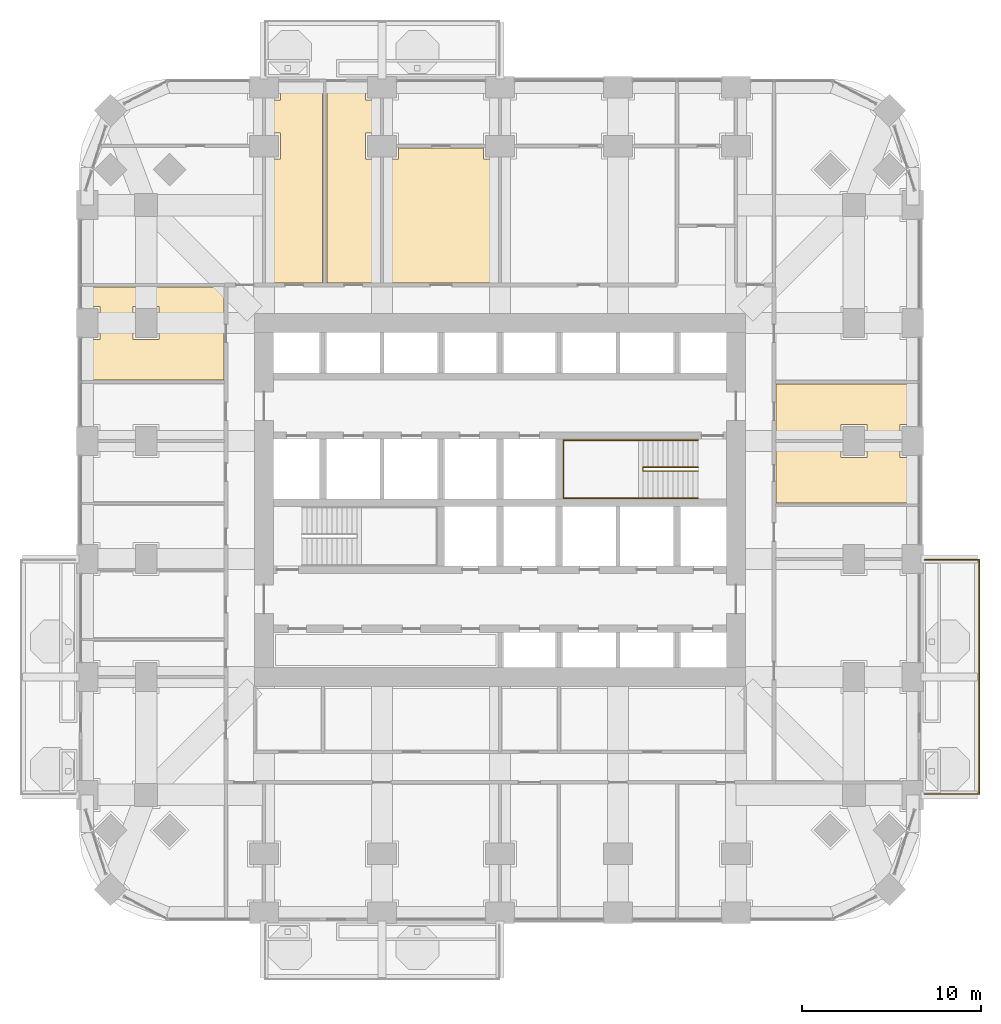
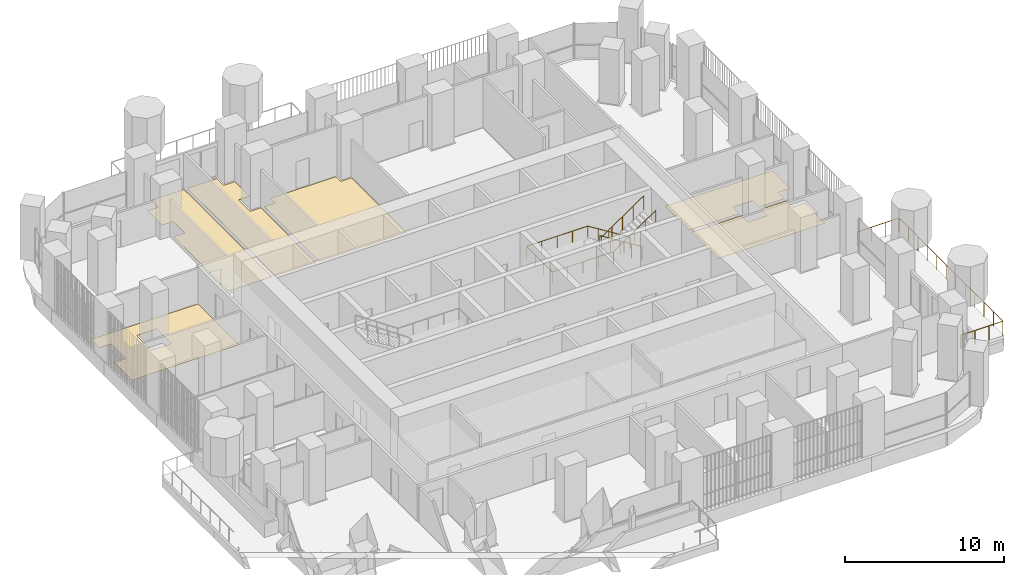
# One storey, part 19 of 21: 6 coverings, 3 railings.
"""IFC4 building model written with IfcOpenShell, lengths in metres."""

from ifc_helpers import new_model, si_unit, direction, frame, origin, place, context, subcontext, project, spatial, polyline, outline, extrude, material, layer, layer_set, type_object, element, save


model = new_model("IFC4")

# Units and contexts
model_context = context("Model", 3, precision=1e-05, world=origin(), true_north=direction((0.0, 1.0)))
body_context = subcontext(model_context, "Body", "Model", "MODEL_VIEW")
ifc_project = project(units=[si_unit("LENGTHUNIT", "METRE"), si_unit("AREAUNIT", "SQUARE_METRE"), si_unit("VOLUMEUNIT", "CUBIC_METRE"), si_unit("PLANEANGLEUNIT", "RADIAN"), si_unit("MASSUNIT", "GRAM", prefix="KILO")], contexts=[model_context])

# Site, building, storey
site_placement = place(None, origin())
site = spatial("IfcSite", under=ifc_project, at=site_placement, CompositionType="ELEMENT")
building_placement = place(site_placement, origin())
building = spatial("IfcBuilding", under=site, at=building_placement, Name="Cobogo Forest Laboratory Tower", CompositionType="ELEMENT")
storey_placement = place(building_placement, frame((0.0, 0.0, 107.39990234375)))
storey = spatial("IfcBuildingStorey", under=building, at=storey_placement, Name="L24", CompositionType="ELEMENT", Elevation=107.39990234375)

# Railing
ifc_material_1 = material(Name="Laminated glass balustrade", Category="glass")
railing_type_1 = type_object("IfcRailingType", Name="BG1 glass balustrade 1100", PredefinedType="GUARDRAIL", material=ifc_material_1)
railing_1_placement = place(storey_placement, frame((50.14990234375, 6.64990234375, 0.0)))
element("IfcRailing", 1, at=railing_1_placement, inside=storey, type_object=railing_type_1, Name="Balcony balustrade BAL-E1 L24", PredefinedType="GUARDRAIL", context=body_context, shape_type="SweptSolid", body=[
    extrude(outline(polyline([(0.022216796875, 0.00927734375), (0.00927734375, 0.022216796875), (-0.00927734375, 0.022216796875), (-0.022216796875, 0.00927734375), (-0.022216796875, -0.00927734375), (-0.00927734375, -0.022216796875), (0.00927734375, -0.022216796875), (0.022216796875, -0.00927734375), (0.022216796875, 0.00927734375)])), frame((0.0, 0.0, 1.077880859375), z_axis=(1.0, 0.0, 0.0), x_axis=(0.0, 1.0, 0.0)), (0.0, 0.0, 1.0), 3.050048828125),
    extrude(outline(polyline([(0.022216796875, 0.00927734375), (0.00927734375, 0.022216796875), (-0.00927734375, 0.022216796875), (-0.022216796875, 0.00927734375), (-0.022216796875, -0.00927734375), (-0.00927734375, -0.022216796875), (0.00927734375, -0.022216796875), (0.022216796875, -0.00927734375), (0.022216796875, 0.00927734375)])), frame((3.050048828125, 0.0, 1.077880859375), z_axis=(0.0, 1.0, 0.0), x_axis=(-1.0, 0.0, 0.0)), (0.0, 0.0, 1.0), 13.10009765625),
    extrude(outline(polyline([(0.022216796875, 0.00927734375), (0.00927734375, 0.022216796875), (-0.00927734375, 0.022216796875), (-0.022216796875, 0.00927734375), (-0.022216796875, -0.00927734375), (-0.00927734375, -0.022216796875), (0.00927734375, -0.022216796875), (0.022216796875, -0.00927734375), (0.022216796875, 0.00927734375)])), frame((3.050048828125, 13.10009765625, 1.077880859375), z_axis=(-1.0, 0.0, 0.0), x_axis=(0.0, -1.0, 0.0)), (0.0, 0.0, 1.0), 3.050048828125),
    extrude(outline(polyline([(0.019287109375, 0.008056640625), (0.008056640625, 0.019287109375), (-0.008056640625, 0.019287109375), (-0.019287109375, 0.008056640625), (-0.019287109375, -0.008056640625), (-0.008056640625, -0.019287109375), (0.008056640625, -0.019287109375), (0.019287109375, -0.008056640625), (0.019287109375, 0.008056640625)])), origin(), (0.0, 0.0, 1.0), 1.077880859375),
    extrude(outline(polyline([(0.019287109375, 0.008056640625), (0.008056640625, 0.019287109375), (-0.008056640625, 0.019287109375), (-0.019287109375, 0.008056640625), (-0.019287109375, -0.008056640625), (-0.008056640625, -0.019287109375), (0.008056640625, -0.019287109375), (0.019287109375, -0.008056640625), (0.019287109375, 0.008056640625)])), frame((1.0166015625, 0.0, 0.0)), (0.0, 0.0, 1.0), 1.077880859375),
    extrude(outline(polyline([(0.019287109375, 0.008056640625), (0.008056640625, 0.019287109375), (-0.008056640625, 0.019287109375), (-0.019287109375, 0.008056640625), (-0.019287109375, -0.008056640625), (-0.008056640625, -0.019287109375), (0.008056640625, -0.019287109375), (0.019287109375, -0.008056640625), (0.019287109375, 0.008056640625)])), frame((2.033447265625, 0.0, 0.0)), (0.0, 0.0, 1.0), 1.077880859375),
    extrude(outline(polyline([(0.019287109375, 0.008056640625), (0.008056640625, 0.019287109375), (-0.008056640625, 0.019287109375), (-0.019287109375, 0.008056640625), (-0.019287109375, -0.008056640625), (-0.008056640625, -0.019287109375), (0.008056640625, -0.019287109375), (0.019287109375, -0.008056640625), (0.019287109375, 0.008056640625)])), frame((3.050048828125, 0.0, 0.0)), (0.0, 0.0, 1.0), 1.077880859375),
    extrude(outline(polyline([(0.019287109375, 0.008056640625), (0.008056640625, 0.019287109375), (-0.008056640625, 0.019287109375), (-0.019287109375, 0.008056640625), (-0.019287109375, -0.008056640625), (-0.008056640625, -0.019287109375), (0.008056640625, -0.019287109375), (0.019287109375, -0.008056640625), (0.019287109375, 0.008056640625)])), frame((3.050048828125, 1.19091796875, 0.0)), (0.0, 0.0, 1.0), 1.077880859375),
    extrude(outline(polyline([(0.019287109375, 0.008056640625), (0.008056640625, 0.019287109375), (-0.008056640625, 0.019287109375), (-0.019287109375, 0.008056640625), (-0.019287109375, -0.008056640625), (-0.008056640625, -0.019287109375), (0.008056640625, -0.019287109375), (0.019287109375, -0.008056640625), (0.019287109375, 0.008056640625)])), frame((3.050048828125, 2.3818359375, 0.0)), (0.0, 0.0, 1.0), 1.077880859375),
    extrude(outline(polyline([(0.019287109375, 0.008056640625), (0.008056640625, 0.019287109375), (-0.008056640625, 0.019287109375), (-0.019287109375, 0.008056640625), (-0.019287109375, -0.008056640625), (-0.008056640625, -0.019287109375), (0.008056640625, -0.019287109375), (0.019287109375, -0.008056640625), (0.019287109375, 0.008056640625)])), frame((3.050048828125, 3.57275390625, 0.0)), (0.0, 0.0, 1.0), 1.077880859375),
    extrude(outline(polyline([(0.019287109375, 0.008056640625), (0.008056640625, 0.019287109375), (-0.008056640625, 0.019287109375), (-0.019287109375, 0.008056640625), (-0.019287109375, -0.008056640625), (-0.008056640625, -0.019287109375), (0.008056640625, -0.019287109375), (0.019287109375, -0.008056640625), (0.019287109375, 0.008056640625)])), frame((3.050048828125, 4.763671875, 0.0)), (0.0, 0.0, 1.0), 1.077880859375),
    extrude(outline(polyline([(0.019287109375, 0.008056640625), (0.008056640625, 0.019287109375), (-0.008056640625, 0.019287109375), (-0.019287109375, 0.008056640625), (-0.019287109375, -0.008056640625), (-0.008056640625, -0.019287109375), (0.008056640625, -0.019287109375), (0.019287109375, -0.008056640625), (0.019287109375, 0.008056640625)])), frame((3.050048828125, 5.95458984375, 0.0)), (0.0, 0.0, 1.0), 1.077880859375),
    extrude(outline(polyline([(0.019287109375, 0.008056640625), (0.008056640625, 0.019287109375), (-0.008056640625, 0.019287109375), (-0.019287109375, 0.008056640625), (-0.019287109375, -0.008056640625), (-0.008056640625, -0.019287109375), (0.008056640625, -0.019287109375), (0.019287109375, -0.008056640625), (0.019287109375, 0.008056640625)])), frame((3.050048828125, 7.1455078125, 0.0)), (0.0, 0.0, 1.0), 1.077880859375),
    extrude(outline(polyline([(0.019287109375, 0.008056640625), (0.008056640625, 0.019287109375), (-0.008056640625, 0.019287109375), (-0.019287109375, 0.008056640625), (-0.019287109375, -0.008056640625), (-0.008056640625, -0.019287109375), (0.008056640625, -0.019287109375), (0.019287109375, -0.008056640625), (0.019287109375, 0.008056640625)])), frame((3.050048828125, 8.33642578125, 0.0)), (0.0, 0.0, 1.0), 1.077880859375),
    extrude(outline(polyline([(0.019287109375, 0.008056640625), (0.008056640625, 0.019287109375), (-0.008056640625, 0.019287109375), (-0.019287109375, 0.008056640625), (-0.019287109375, -0.008056640625), (-0.008056640625, -0.019287109375), (0.008056640625, -0.019287109375), (0.019287109375, -0.008056640625), (0.019287109375, 0.008056640625)])), frame((3.050048828125, 9.52734375, 0.0)), (0.0, 0.0, 1.0), 1.077880859375),
    extrude(outline(polyline([(0.019287109375, 0.008056640625), (0.008056640625, 0.019287109375), (-0.008056640625, 0.019287109375), (-0.019287109375, 0.008056640625), (-0.019287109375, -0.008056640625), (-0.008056640625, -0.019287109375), (0.008056640625, -0.019287109375), (0.019287109375, -0.008056640625), (0.019287109375, 0.008056640625)])), frame((3.050048828125, 10.71826171875, 0.0)), (0.0, 0.0, 1.0), 1.077880859375),
    extrude(outline(polyline([(0.019287109375, 0.008056640625), (0.008056640625, 0.019287109375), (-0.008056640625, 0.019287109375), (-0.019287109375, 0.008056640625), (-0.019287109375, -0.008056640625), (-0.008056640625, -0.019287109375), (0.008056640625, -0.019287109375), (0.019287109375, -0.008056640625), (0.019287109375, 0.008056640625)])), frame((3.050048828125, 11.9091796875, 0.0)), (0.0, 0.0, 1.0), 1.077880859375),
    extrude(outline(polyline([(0.019287109375, 0.008056640625), (0.008056640625, 0.019287109375), (-0.008056640625, 0.019287109375), (-0.019287109375, 0.008056640625), (-0.019287109375, -0.008056640625), (-0.008056640625, -0.019287109375), (0.008056640625, -0.019287109375), (0.019287109375, -0.008056640625), (0.019287109375, 0.008056640625)])), frame((3.050048828125, 13.10009765625, 0.0)), (0.0, 0.0, 1.0), 1.077880859375),
    extrude(outline(polyline([(0.019287109375, 0.008056640625), (0.008056640625, 0.019287109375), (-0.008056640625, 0.019287109375), (-0.019287109375, 0.008056640625), (-0.019287109375, -0.008056640625), (-0.008056640625, -0.019287109375), (0.008056640625, -0.019287109375), (0.019287109375, -0.008056640625), (0.019287109375, 0.008056640625)])), frame((2.033447265625, 13.10009765625, 0.0)), (0.0, 0.0, 1.0), 1.077880859375),
    extrude(outline(polyline([(0.019287109375, 0.008056640625), (0.008056640625, 0.019287109375), (-0.008056640625, 0.019287109375), (-0.019287109375, 0.008056640625), (-0.019287109375, -0.008056640625), (-0.008056640625, -0.019287109375), (0.008056640625, -0.019287109375), (0.019287109375, -0.008056640625), (0.019287109375, 0.008056640625)])), frame((1.0166015625, 13.10009765625, 0.0)), (0.0, 0.0, 1.0), 1.077880859375),
    extrude(outline(polyline([(0.019287109375, 0.008056640625), (0.008056640625, 0.019287109375), (-0.008056640625, 0.019287109375), (-0.019287109375, 0.008056640625), (-0.019287109375, -0.008056640625), (-0.008056640625, -0.019287109375), (0.008056640625, -0.019287109375), (0.019287109375, -0.008056640625), (0.019287109375, 0.008056640625)])), frame((0.0, 13.10009765625, 0.0)), (0.0, 0.0, 1.0), 1.077880859375),
])

# Coverings
ifc_material_2 = material(Name="Carpet tile on raised access floor", Category="flooring")
ifc_layer_1 = layer(ifc_material_2, 0.008056640625)
ifc_layer_set_1 = layer_set([ifc_layer_1], Name="CT1 carpet tile floor 8")
covering_type_1 = type_object("IfcCoveringType", Name="CT1 carpet tile floor 8", PredefinedType="FLOORING", material=ifc_layer_set_1)
covering_1_placement = place(storey_placement, origin())
element("IfcCovering", 2, at=covering_1_placement, inside=storey, type_object=covering_type_1, Name="Carpet floor L24-13", PredefinedType="FLOORING", context=body_context, shape_type="SweptSolid", body=[
    extrude(outline(polyline([(41.844970703125, 29.580078125), (49.64990234375, 29.580078125), (49.64990234375, 27.320068359375), (48.780029296875, 27.320068359375), (48.780029296875, 26.52001953125), (46.919921875, 26.52001953125), (46.919921875, 27.320068359375), (45.47998046875, 27.320068359375), (45.47998046875, 26.52001953125), (41.844970703125, 26.52001953125), (41.844970703125, 29.580078125)])), origin(), (0.0, 0.0, 1.0), 0.008056640625),
])
covering_2_placement = place(storey_placement, origin())
element("IfcCovering", 3, at=covering_2_placement, inside=storey, type_object=covering_type_1, Name="Carpet floor L24-17", PredefinedType="FLOORING", context=body_context, shape_type="SweptSolid", body=[
    extrude(outline(polyline([(13.320068359375, 35.2451171875), (13.320068359375, 42.179931640625), (14.1201171875, 42.179931640625), (14.1201171875, 43.6201171875), (13.320068359375, 43.6201171875), (13.320068359375, 45.47998046875), (14.1201171875, 45.47998046875), (14.1201171875, 46.35009765625), (16.47998046875, 46.35009765625), (16.47998046875, 35.2451171875), (13.320068359375, 35.2451171875)])), origin(), (0.0, 0.0, 1.0), 0.008056640625),
])
covering_3_placement = place(storey_placement, origin())
element("IfcCovering", 4, at=covering_3_placement, inside=storey, type_object=covering_type_1, Name="Carpet floor L24-32", PredefinedType="FLOORING", context=body_context, shape_type="SweptSolid", body=[
    extrude(outline(polyline([(10.955078125, 29.820068359375), (3.14990234375, 29.820068359375), (3.14990234375, 32.080078125), (4.02001953125, 32.080078125), (4.02001953125, 33.919921875), (3.14990234375, 33.919921875), (3.14990234375, 35.0048828125), (10.955078125, 35.0048828125), (10.955078125, 29.820068359375)]), holes=[polyline([(5.8798828125, 32.080078125), (7.320068359375, 32.080078125), (7.320068359375, 33.919921875), (5.8798828125, 33.919921875), (5.8798828125, 32.080078125)])]), origin(), (0.0, 0.0, 1.0), 0.008056640625),
])

# Railings
ifc_material_3 = material(Name="Steel balustrade", Category="steel")
railing_type_2 = type_object("IfcRailingType", Name="GR stair guard 1100", PredefinedType="GUARDRAIL", material=ifc_material_3)
railing_2_placement = place(storey_placement, frame((37.47509765625, 24.929931640625, 0.175048828125)))
element("IfcRailing", 5, at=railing_2_placement, inside=storey, type_object=railing_type_2, Name="Stair guard ST2 L24", PredefinedType="GUARDRAIL", context=body_context, shape_type="SweptSolid", body=[
    extrude(outline(polyline([(0.022216796875, 0.00927734375), (0.00927734375, 0.022216796875), (-0.00927734375, 0.022216796875), (-0.022216796875, 0.00927734375), (-0.022216796875, -0.00927734375), (-0.00927734375, -0.022216796875), (0.00927734375, -0.022216796875), (0.022216796875, -0.00927734375), (0.022216796875, 0.00927734375)])), frame((0.0, 0.0, 1.077880859375), z_axis=(-0.847998304005, 0.0, 0.529998940003), x_axis=(0.0, -1.0, 0.0)), (0.0, 0.0, 1.0), 3.632080078125),
    extrude(outline(polyline([(0.022216796875, 0.00927734375), (0.00927734375, 0.022216796875), (-0.00927734375, 0.022216796875), (-0.022216796875, 0.00927734375), (-0.022216796875, -0.00927734375), (-0.00927734375, -0.022216796875), (0.00927734375, -0.022216796875), (0.022216796875, -0.00927734375), (0.022216796875, 0.00927734375)])), frame((-3.080078125, 0.0, 3.0029296875), z_axis=(0.0, -1.0, 0.0), x_axis=(1.0, 0.0, 0.0)), (0.0, 0.0, 1.0), 0.2099609375),
    extrude(outline(polyline([(0.022216796875, 0.00927734375), (0.00927734375, 0.022216796875), (-0.00927734375, 0.022216796875), (-0.022216796875, 0.00927734375), (-0.022216796875, -0.00927734375), (-0.00927734375, -0.022216796875), (0.00927734375, -0.022216796875), (0.022216796875, -0.00927734375), (0.022216796875, 0.00927734375)])), frame((-3.080078125, -0.2099609375, 3.0029296875), z_axis=(0.826221800596, 0.0, 0.563344953133), x_axis=(0.0, 1.0, 0.0)), (0.0, 0.0, 1.0), 3.72802734375),
    extrude(outline(polyline([(0.019287109375, 0.008056640625), (0.008056640625, 0.019287109375), (-0.008056640625, 0.019287109375), (-0.019287109375, 0.008056640625), (-0.019287109375, -0.008056640625), (-0.008056640625, -0.019287109375), (0.008056640625, -0.019287109375), (0.019287109375, -0.008056640625), (0.019287109375, 0.008056640625)])), origin(), (0.0, 0.0, 1.0), 1.077880859375),
    extrude(outline(polyline([(0.019287109375, 0.008056640625), (0.008056640625, 0.019287109375), (-0.008056640625, 0.019287109375), (-0.019287109375, 0.008056640625), (-0.019287109375, -0.008056640625), (-0.008056640625, -0.019287109375), (0.008056640625, -0.019287109375), (0.019287109375, -0.008056640625), (0.019287109375, 0.008056640625)])), frame((-0.77001953125, 0.0, 0.481201171875)), (0.0, 0.0, 1.0), 1.077880859375),
    extrude(outline(polyline([(0.019287109375, 0.008056640625), (0.008056640625, 0.019287109375), (-0.008056640625, 0.019287109375), (-0.019287109375, 0.008056640625), (-0.019287109375, -0.008056640625), (-0.008056640625, -0.019287109375), (0.008056640625, -0.019287109375), (0.019287109375, -0.008056640625), (0.019287109375, 0.008056640625)])), frame((-1.5400390625, 0.0, 0.96240234375)), (0.0, 0.0, 1.0), 1.077880859375),
    extrude(outline(polyline([(0.019287109375, 0.008056640625), (0.008056640625, 0.019287109375), (-0.008056640625, 0.019287109375), (-0.019287109375, 0.008056640625), (-0.019287109375, -0.008056640625), (-0.008056640625, -0.019287109375), (0.008056640625, -0.019287109375), (0.019287109375, -0.008056640625), (0.019287109375, 0.008056640625)])), frame((-2.31005859375, 0.0, 1.44384765625)), (0.0, 0.0, 1.0), 1.077880859375),
    extrude(outline(polyline([(0.019287109375, 0.008056640625), (0.008056640625, 0.019287109375), (-0.008056640625, 0.019287109375), (-0.019287109375, 0.008056640625), (-0.019287109375, -0.008056640625), (-0.008056640625, -0.019287109375), (0.008056640625, -0.019287109375), (0.019287109375, -0.008056640625), (0.019287109375, 0.008056640625)])), frame((-3.080078125, 0.0, 1.925048828125)), (0.0, 0.0, 1.0), 1.077880859375),
    extrude(outline(polyline([(0.019287109375, 0.008056640625), (0.008056640625, 0.019287109375), (-0.008056640625, 0.019287109375), (-0.019287109375, 0.008056640625), (-0.019287109375, -0.008056640625), (-0.008056640625, -0.019287109375), (0.008056640625, -0.019287109375), (0.019287109375, -0.008056640625), (0.019287109375, 0.008056640625)])), frame((-3.080078125, -0.2099609375, 1.925048828125)), (0.0, 0.0, 1.0), 1.077880859375),
    extrude(outline(polyline([(0.019287109375, 0.008056640625), (0.008056640625, 0.019287109375), (-0.008056640625, 0.019287109375), (-0.019287109375, 0.008056640625), (-0.019287109375, -0.008056640625), (-0.008056640625, -0.019287109375), (0.008056640625, -0.019287109375), (0.019287109375, -0.008056640625), (0.019287109375, 0.008056640625)])), frame((-2.31005859375, -0.2099609375, 2.4501953125)), (0.0, 0.0, 1.0), 1.077880859375),
    extrude(outline(polyline([(0.019287109375, 0.008056640625), (0.008056640625, 0.019287109375), (-0.008056640625, 0.019287109375), (-0.019287109375, 0.008056640625), (-0.019287109375, -0.008056640625), (-0.008056640625, -0.019287109375), (0.008056640625, -0.019287109375), (0.019287109375, -0.008056640625), (0.019287109375, 0.008056640625)])), frame((-1.5400390625, -0.2099609375, 2.97509765625)), (0.0, 0.0, 1.0), 1.077880859375),
    extrude(outline(polyline([(0.019287109375, 0.008056640625), (0.008056640625, 0.019287109375), (-0.008056640625, 0.019287109375), (-0.019287109375, 0.008056640625), (-0.019287109375, -0.008056640625), (-0.008056640625, -0.019287109375), (0.008056640625, -0.019287109375), (0.019287109375, -0.008056640625), (0.019287109375, 0.008056640625)])), frame((-0.77001953125, -0.2099609375, 3.5)), (0.0, 0.0, 1.0), 1.077880859375),
    extrude(outline(polyline([(0.019287109375, 0.008056640625), (0.008056640625, 0.019287109375), (-0.008056640625, 0.019287109375), (-0.019287109375, 0.008056640625), (-0.019287109375, -0.008056640625), (-0.008056640625, -0.019287109375), (0.008056640625, -0.019287109375), (0.019287109375, -0.008056640625), (0.019287109375, 0.008056640625)])), frame((0.0, -0.2099609375, 4.025146484375)), (0.0, 0.0, 1.0), 1.077880859375),
])
ifc_material_4 = material(Name="Stainless steel handrail", Category="steel")
railing_type_3 = type_object("IfcRailingType", Name="HR handrail 900", PredefinedType="HANDRAIL", material=ifc_material_4)
railing_3_placement = place(storey_placement, frame((37.47509765625, 26.449951171875, 0.175048828125)))
element("IfcRailing", 6, at=railing_3_placement, inside=storey, type_object=railing_type_3, Name="Stair handrail ST2 L24", PredefinedType="HANDRAIL", context=body_context, shape_type="SweptSolid", body=[
    extrude(outline(polyline([(0.022216796875, 0.00927734375), (0.00927734375, 0.022216796875), (-0.00927734375, 0.022216796875), (-0.022216796875, 0.00927734375), (-0.022216796875, -0.00927734375), (-0.00927734375, -0.022216796875), (0.00927734375, -0.022216796875), (0.022216796875, -0.00927734375), (0.022216796875, 0.00927734375)])), frame((0.0, 0.0, 0.877685546875), z_axis=(-0.847998304005, 0.0, 0.529998940003), x_axis=(0.0, -1.0, 0.0)), (0.0, 0.0, 1.0), 3.632080078125),
    extrude(outline(polyline([(0.022216796875, 0.00927734375), (0.00927734375, 0.022216796875), (-0.00927734375, 0.022216796875), (-0.022216796875, 0.00927734375), (-0.022216796875, -0.00927734375), (-0.00927734375, -0.022216796875), (0.00927734375, -0.022216796875), (0.022216796875, -0.00927734375), (0.022216796875, 0.00927734375)])), frame((-3.080078125, 0.0, 2.802734375), z_axis=(-1.0, 0.0, 0.0), x_axis=(0.0, -1.0, 0.0)), (0.0, 0.0, 1.0), 4.445068359375),
    extrude(outline(polyline([(0.022216796875, 0.00927734375), (0.00927734375, 0.022216796875), (-0.00927734375, 0.022216796875), (-0.022216796875, 0.00927734375), (-0.022216796875, -0.00927734375), (-0.00927734375, -0.022216796875), (0.00927734375, -0.022216796875), (0.022216796875, -0.00927734375), (0.022216796875, 0.00927734375)])), frame((-7.525146484375, 0.0, 2.802734375), z_axis=(0.0, -1.0, 0.0), x_axis=(1.0, 0.0, 0.0)), (0.0, 0.0, 1.0), 3.25),
    extrude(outline(polyline([(0.022216796875, 0.00927734375), (0.00927734375, 0.022216796875), (-0.00927734375, 0.022216796875), (-0.022216796875, 0.00927734375), (-0.022216796875, -0.00927734375), (-0.00927734375, -0.022216796875), (0.00927734375, -0.022216796875), (0.022216796875, -0.00927734375), (0.022216796875, 0.00927734375)])), frame((-7.525146484375, -3.25, 2.802734375), z_axis=(1.0, 0.0, 0.0), x_axis=(0.0, 1.0, 0.0)), (0.0, 0.0, 1.0), 4.445068359375),
    extrude(outline(polyline([(0.022216796875, 0.00927734375), (0.00927734375, 0.022216796875), (-0.00927734375, 0.022216796875), (-0.022216796875, 0.00927734375), (-0.022216796875, -0.00927734375), (-0.00927734375, -0.022216796875), (0.00927734375, -0.022216796875), (0.022216796875, -0.00927734375), (0.022216796875, 0.00927734375)])), frame((-3.080078125, -3.25, 2.802734375), z_axis=(0.826221800596, 0.0, 0.563344953133), x_axis=(0.0, 1.0, 0.0)), (0.0, 0.0, 1.0), 3.72802734375),
    extrude(outline(polyline([(0.019287109375, 0.008056640625), (0.008056640625, 0.019287109375), (-0.008056640625, 0.019287109375), (-0.019287109375, 0.008056640625), (-0.019287109375, -0.008056640625), (-0.008056640625, -0.019287109375), (0.008056640625, -0.019287109375), (0.019287109375, -0.008056640625), (0.019287109375, 0.008056640625)])), origin(), (0.0, 0.0, 1.0), 0.877685546875),
    extrude(outline(polyline([(0.019287109375, 0.008056640625), (0.008056640625, 0.019287109375), (-0.008056640625, 0.019287109375), (-0.019287109375, 0.008056640625), (-0.019287109375, -0.008056640625), (-0.008056640625, -0.019287109375), (0.008056640625, -0.019287109375), (0.019287109375, -0.008056640625), (0.019287109375, 0.008056640625)])), frame((-0.77001953125, 0.0, 0.481201171875)), (0.0, 0.0, 1.0), 0.877685546875),
    extrude(outline(polyline([(0.019287109375, 0.008056640625), (0.008056640625, 0.019287109375), (-0.008056640625, 0.019287109375), (-0.019287109375, 0.008056640625), (-0.019287109375, -0.008056640625), (-0.008056640625, -0.019287109375), (0.008056640625, -0.019287109375), (0.019287109375, -0.008056640625), (0.019287109375, 0.008056640625)])), frame((-1.5400390625, 0.0, 0.96240234375)), (0.0, 0.0, 1.0), 0.877685546875),
    extrude(outline(polyline([(0.019287109375, 0.008056640625), (0.008056640625, 0.019287109375), (-0.008056640625, 0.019287109375), (-0.019287109375, 0.008056640625), (-0.019287109375, -0.008056640625), (-0.008056640625, -0.019287109375), (0.008056640625, -0.019287109375), (0.019287109375, -0.008056640625), (0.019287109375, 0.008056640625)])), frame((-2.31005859375, 0.0, 1.44384765625)), (0.0, 0.0, 1.0), 0.877685546875),
    extrude(outline(polyline([(0.019287109375, 0.008056640625), (0.008056640625, 0.019287109375), (-0.008056640625, 0.019287109375), (-0.019287109375, 0.008056640625), (-0.019287109375, -0.008056640625), (-0.008056640625, -0.019287109375), (0.008056640625, -0.019287109375), (0.019287109375, -0.008056640625), (0.019287109375, 0.008056640625)])), frame((-3.080078125, 0.0, 1.925048828125)), (0.0, 0.0, 1.0), 0.877685546875),
    extrude(outline(polyline([(0.019287109375, 0.008056640625), (0.008056640625, 0.019287109375), (-0.008056640625, 0.019287109375), (-0.019287109375, 0.008056640625), (-0.019287109375, -0.008056640625), (-0.008056640625, -0.019287109375), (0.008056640625, -0.019287109375), (0.019287109375, -0.008056640625), (0.019287109375, 0.008056640625)])), frame((-4.19140625, 0.0, 1.925048828125)), (0.0, 0.0, 1.0), 0.877685546875),
    extrude(outline(polyline([(0.019287109375, 0.008056640625), (0.008056640625, 0.019287109375), (-0.008056640625, 0.019287109375), (-0.019287109375, 0.008056640625), (-0.019287109375, -0.008056640625), (-0.008056640625, -0.019287109375), (0.008056640625, -0.019287109375), (0.019287109375, -0.008056640625), (0.019287109375, 0.008056640625)])), frame((-5.302734375, 0.0, 1.925048828125)), (0.0, 0.0, 1.0), 0.877685546875),
    extrude(outline(polyline([(0.019287109375, 0.008056640625), (0.008056640625, 0.019287109375), (-0.008056640625, 0.019287109375), (-0.019287109375, 0.008056640625), (-0.019287109375, -0.008056640625), (-0.008056640625, -0.019287109375), (0.008056640625, -0.019287109375), (0.019287109375, -0.008056640625), (0.019287109375, 0.008056640625)])), frame((-6.413818359375, 0.0, 1.925048828125)), (0.0, 0.0, 1.0), 0.877685546875),
    extrude(outline(polyline([(0.019287109375, 0.008056640625), (0.008056640625, 0.019287109375), (-0.008056640625, 0.019287109375), (-0.019287109375, 0.008056640625), (-0.019287109375, -0.008056640625), (-0.008056640625, -0.019287109375), (0.008056640625, -0.019287109375), (0.019287109375, -0.008056640625), (0.019287109375, 0.008056640625)])), frame((-7.525146484375, 0.0, 1.925048828125)), (0.0, 0.0, 1.0), 0.877685546875),
    extrude(outline(polyline([(0.019287109375, 0.008056640625), (0.008056640625, 0.019287109375), (-0.008056640625, 0.019287109375), (-0.019287109375, 0.008056640625), (-0.019287109375, -0.008056640625), (-0.008056640625, -0.019287109375), (0.008056640625, -0.019287109375), (0.019287109375, -0.008056640625), (0.019287109375, 0.008056640625)])), frame((-7.525146484375, -1.083251953125, 1.925048828125)), (0.0, 0.0, 1.0), 0.877685546875),
    extrude(outline(polyline([(0.019287109375, 0.008056640625), (0.008056640625, 0.019287109375), (-0.008056640625, 0.019287109375), (-0.019287109375, 0.008056640625), (-0.019287109375, -0.008056640625), (-0.008056640625, -0.019287109375), (0.008056640625, -0.019287109375), (0.019287109375, -0.008056640625), (0.019287109375, 0.008056640625)])), frame((-7.525146484375, -2.166748046875, 1.925048828125)), (0.0, 0.0, 1.0), 0.877685546875),
    extrude(outline(polyline([(0.019287109375, 0.008056640625), (0.008056640625, 0.019287109375), (-0.008056640625, 0.019287109375), (-0.019287109375, 0.008056640625), (-0.019287109375, -0.008056640625), (-0.008056640625, -0.019287109375), (0.008056640625, -0.019287109375), (0.019287109375, -0.008056640625), (0.019287109375, 0.008056640625)])), frame((-7.525146484375, -3.25, 1.925048828125)), (0.0, 0.0, 1.0), 0.877685546875),
    extrude(outline(polyline([(0.019287109375, 0.008056640625), (0.008056640625, 0.019287109375), (-0.008056640625, 0.019287109375), (-0.019287109375, 0.008056640625), (-0.019287109375, -0.008056640625), (-0.008056640625, -0.019287109375), (0.008056640625, -0.019287109375), (0.019287109375, -0.008056640625), (0.019287109375, 0.008056640625)])), frame((-6.413818359375, -3.25, 1.925048828125)), (0.0, 0.0, 1.0), 0.877685546875),
    extrude(outline(polyline([(0.019287109375, 0.008056640625), (0.008056640625, 0.019287109375), (-0.008056640625, 0.019287109375), (-0.019287109375, 0.008056640625), (-0.019287109375, -0.008056640625), (-0.008056640625, -0.019287109375), (0.008056640625, -0.019287109375), (0.019287109375, -0.008056640625), (0.019287109375, 0.008056640625)])), frame((-5.302734375, -3.25, 1.925048828125)), (0.0, 0.0, 1.0), 0.877685546875),
    extrude(outline(polyline([(0.019287109375, 0.008056640625), (0.008056640625, 0.019287109375), (-0.008056640625, 0.019287109375), (-0.019287109375, 0.008056640625), (-0.019287109375, -0.008056640625), (-0.008056640625, -0.019287109375), (0.008056640625, -0.019287109375), (0.019287109375, -0.008056640625), (0.019287109375, 0.008056640625)])), frame((-4.19140625, -3.25, 1.925048828125)), (0.0, 0.0, 1.0), 0.877685546875),
    extrude(outline(polyline([(0.019287109375, 0.008056640625), (0.008056640625, 0.019287109375), (-0.008056640625, 0.019287109375), (-0.019287109375, 0.008056640625), (-0.019287109375, -0.008056640625), (-0.008056640625, -0.019287109375), (0.008056640625, -0.019287109375), (0.019287109375, -0.008056640625), (0.019287109375, 0.008056640625)])), frame((-3.080078125, -3.25, 1.925048828125)), (0.0, 0.0, 1.0), 0.877685546875),
    extrude(outline(polyline([(0.019287109375, 0.008056640625), (0.008056640625, 0.019287109375), (-0.008056640625, 0.019287109375), (-0.019287109375, 0.008056640625), (-0.019287109375, -0.008056640625), (-0.008056640625, -0.019287109375), (0.008056640625, -0.019287109375), (0.019287109375, -0.008056640625), (0.019287109375, 0.008056640625)])), frame((-2.31005859375, -3.25, 2.4501953125)), (0.0, 0.0, 1.0), 0.877685546875),
    extrude(outline(polyline([(0.019287109375, 0.008056640625), (0.008056640625, 0.019287109375), (-0.008056640625, 0.019287109375), (-0.019287109375, 0.008056640625), (-0.019287109375, -0.008056640625), (-0.008056640625, -0.019287109375), (0.008056640625, -0.019287109375), (0.019287109375, -0.008056640625), (0.019287109375, 0.008056640625)])), frame((-1.5400390625, -3.25, 2.97509765625)), (0.0, 0.0, 1.0), 0.877685546875),
    extrude(outline(polyline([(0.019287109375, 0.008056640625), (0.008056640625, 0.019287109375), (-0.008056640625, 0.019287109375), (-0.019287109375, 0.008056640625), (-0.019287109375, -0.008056640625), (-0.008056640625, -0.019287109375), (0.008056640625, -0.019287109375), (0.019287109375, -0.008056640625), (0.019287109375, 0.008056640625)])), frame((-0.77001953125, -3.25, 3.5)), (0.0, 0.0, 1.0), 0.877685546875),
    extrude(outline(polyline([(0.019287109375, 0.008056640625), (0.008056640625, 0.019287109375), (-0.008056640625, 0.019287109375), (-0.019287109375, 0.008056640625), (-0.019287109375, -0.008056640625), (-0.008056640625, -0.019287109375), (0.008056640625, -0.019287109375), (0.019287109375, -0.008056640625), (0.019287109375, 0.008056640625)])), frame((0.0, -3.25, 4.025146484375)), (0.0, 0.0, 1.0), 0.877685546875),
])

# Coverings
ifc_material_5 = material(Name="Epoxy resin flooring", Category="flooring")
ifc_layer_2 = layer(ifc_material_5, 0.00390625)
ifc_layer_set_2 = layer_set([ifc_layer_2], Name="LF1 epoxy laboratory floor 4")
covering_type_2 = type_object("IfcCoveringType", Name="LF1 epoxy laboratory floor 4", PredefinedType="FLOORING", material=ifc_layer_set_2)
covering_4_placement = place(storey_placement, origin())
element("IfcCovering", 7, at=covering_4_placement, inside=storey, type_object=covering_type_2, Name="Epoxy laboratory floor L24-19", PredefinedType="FLOORING", context=body_context, shape_type="SweptSolid", body=[
    extrude(outline(polyline([(19.919921875, 42.179931640625), (20.719970703125, 42.179931640625), (20.719970703125, 42.780029296875), (25.47998046875, 42.780029296875), (25.47998046875, 42.179931640625), (26.280029296875, 42.179931640625), (26.280029296875, 35.2451171875), (19.919921875, 35.2451171875), (19.919921875, 42.179931640625)])), origin(), (0.0, 0.0, 1.0), 0.004150390625),
])
ifc_material_6 = material(Name="Static-dissipative vinyl flooring", Category="flooring")
ifc_layer_3 = layer(ifc_material_6, 0.0029296875)
ifc_layer_set_3 = layer_set([ifc_layer_3], Name="SD1 static-dissipative vinyl floor 3")
covering_type_3 = type_object("IfcCoveringType", Name="SD1 static-dissipative vinyl floor 3", PredefinedType="FLOORING", material=ifc_layer_set_3)
covering_5_placement = place(storey_placement, origin())
element("IfcCovering", 8, at=covering_5_placement, inside=storey, type_object=covering_type_3, Name="Static-dissipative floor L24-12", PredefinedType="FLOORING", context=body_context, shape_type="SweptSolid", body=[
    extrude(outline(polyline([(41.844970703125, 26.280029296875), (45.47998046875, 26.280029296875), (45.47998046875, 25.47998046875), (46.919921875, 25.47998046875), (46.919921875, 26.280029296875), (48.780029296875, 26.280029296875), (48.780029296875, 25.47998046875), (49.64990234375, 25.47998046875), (49.64990234375, 22.919921875), (41.844970703125, 22.919921875), (41.844970703125, 26.280029296875)])), origin(), (0.0, 0.0, 1.0), 0.003173828125),
])
ifc_material_7 = material(Name="Ceramic floor tile", Category="flooring")
ifc_layer_4 = layer(ifc_material_7, 0.010009765625)
ifc_layer_set_4 = layer_set([ifc_layer_4], Name="TF1 ceramic tile floor 10")
covering_type_4 = type_object("IfcCoveringType", Name="TF1 ceramic tile floor 10", PredefinedType="FLOORING", material=ifc_layer_set_4)
covering_6_placement = place(storey_placement, origin())
element("IfcCovering", 9, at=covering_6_placement, inside=storey, type_object=covering_type_4, Name="Tile floor L24-18", PredefinedType="FLOORING", context=body_context, shape_type="SweptSolid", body=[
    extrude(outline(polyline([(16.719970703125, 35.2451171875), (16.719970703125, 46.35009765625), (18.8798828125, 46.35009765625), (18.8798828125, 45.47998046875), (19.679931640625, 45.47998046875), (19.679931640625, 43.6201171875), (18.8798828125, 43.6201171875), (18.8798828125, 42.179931640625), (19.679931640625, 42.179931640625), (19.679931640625, 35.2451171875), (16.719970703125, 35.2451171875)])), origin(), (0.0, 0.0, 1.0), 0.010009765625),
])

save(model, "model.ifc")
